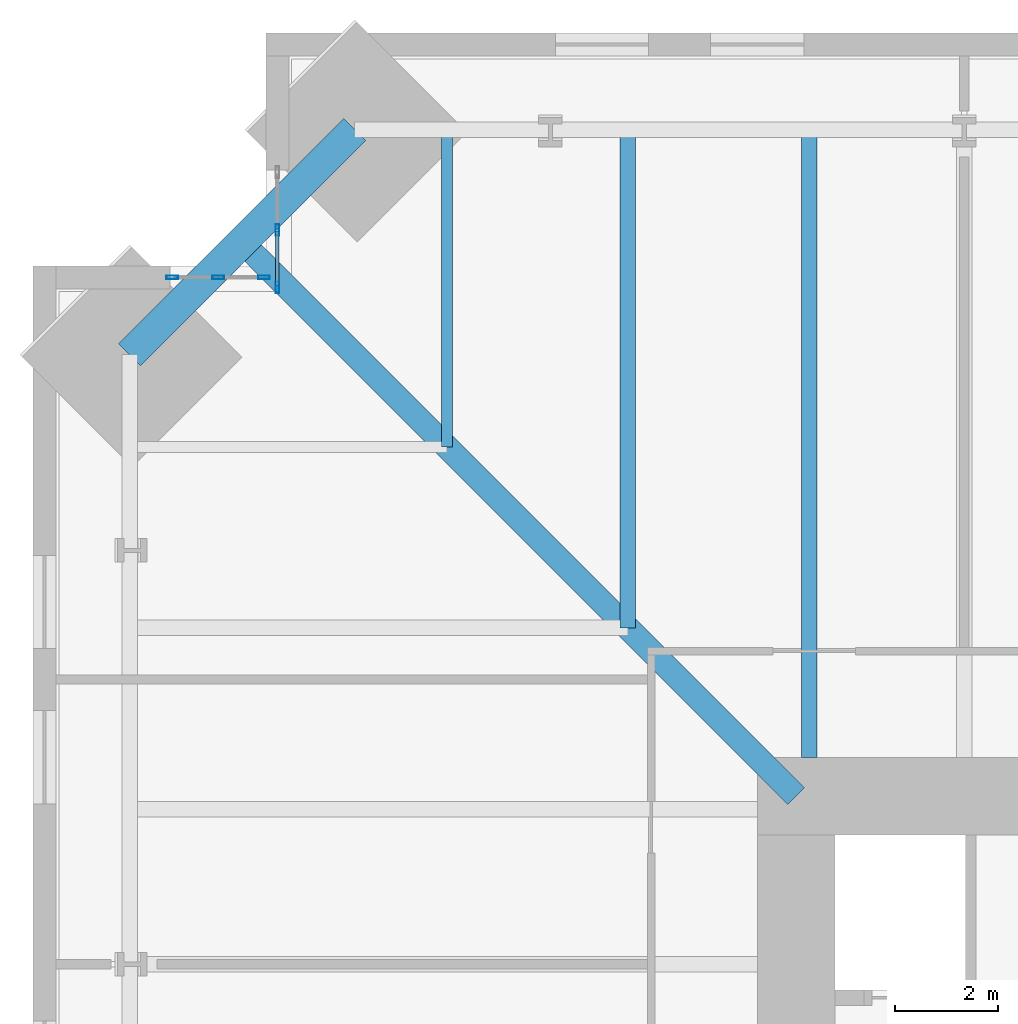
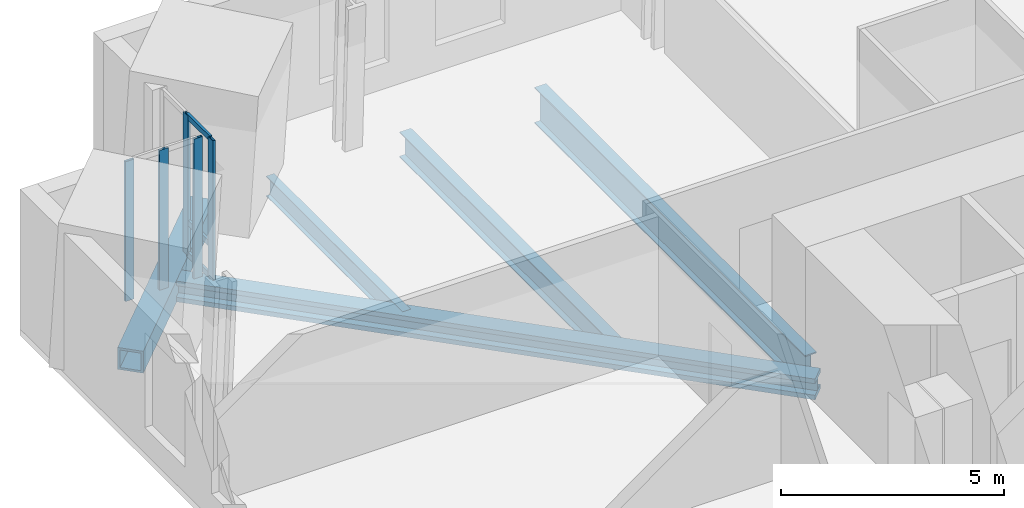
# One storey, part 6 of 18: 8 members, 5 beams, 2 elements without a shape of their own.
"""IFC4 building model written with IfcOpenShell, lengths in metres."""

from ifc_helpers import new_model, si_unit, direction, frame, origin, origin_2d, place, context, subcontext, project, spatial, hollow_rectangle, i_section, extrude, material, material_profile, profile_set, type_object, element, aggregate, save


model = new_model("IFC4")

# Units and contexts
model_context = context("Model", 3, precision=1e-05, world=origin(), true_north=direction((0.0, 1.0)))
body_context = subcontext(model_context, "Body", "Model", "MODEL_VIEW")
ifc_project = project(units=[si_unit("LENGTHUNIT", "METRE"), si_unit("AREAUNIT", "SQUARE_METRE"), si_unit("VOLUMEUNIT", "CUBIC_METRE"), si_unit("PLANEANGLEUNIT", "RADIAN"), si_unit("MASSUNIT", "GRAM", prefix="KILO")], contexts=[model_context])

# Site, building, storey
site_placement = place(None, origin())
site = spatial("IfcSite", under=ifc_project, at=site_placement, CompositionType="ELEMENT")
building_placement = place(site_placement, origin())
building = spatial("IfcBuilding", under=site, at=building_placement, Name="Peilmerk Tower", CompositionType="ELEMENT")
storey_placement = place(building_placement, frame((0.0, 0.0, 167.800048828125)))
storey = spatial("IfcBuildingStorey", under=building, at=storey_placement, Name="L35", CompositionType="ELEMENT", Elevation=167.800048828125)

# Beams
ifc_material_1 = material(Name="Steel S355", Category="steel")
ifc_material_profile_1 = material_profile(ifc_material_1, i_section(OverallWidth=0.2099609375, OverallDepth=0.550048828125, WebThickness=0.010986328125, FlangeThickness=0.01708984375, at=origin_2d()), Name="IPE 550")
ifc_profile_set_1 = profile_set([ifc_material_profile_1], Name="Steel S355")
beam_type_1 = type_object("IfcBeamType", Name="B12 IPE 550 floor beam", PredefinedType="BEAM", material=ifc_profile_set_1)
beam_1_placement = place(storey_placement, frame((-18.0, 18.0, -0.445068359375), z_axis=(0.0, 1.0, 0.0), x_axis=(-1.0, 0.0, 0.0)))
element("IfcBeam", 1, at=beam_1_placement, inside=storey, type_object=beam_type_1, Name="Floor beam L35", PredefinedType="BEAM", context=body_context, shape_type="SweptSolid", body=[
    extrude(i_section(OverallWidth=0.2099609375, OverallDepth=0.550048828125, WebThickness=0.010986328125, FlangeThickness=0.01708984375, at=origin_2d()), origin(), (0.0, 0.0, 1.0), 6.130615234375),
])
ifc_material_profile_2 = material_profile(ifc_material_1, i_section(OverallWidth=0.300048828125, OverallDepth=0.989990234375, WebThickness=0.0166015625, FlangeThickness=0.031005859375, at=origin_2d()), Name="HEA 1000")
ifc_profile_set_2 = profile_set([ifc_material_profile_2], Name="Steel S355")
beam_type_2 = type_object("IfcBeamType", Name="B14 HEA 1000 floor girder", PredefinedType="BEAM", material=ifc_profile_set_2)
beam_2_placement = place(storey_placement, frame((-11.0, 12.0, -0.6650390625), z_axis=(0.0, 1.0, 0.0), x_axis=(-1.0, 0.0, 0.0)))
element("IfcBeam", 2, at=beam_2_placement, inside=storey, type_object=beam_type_2, Name="Floor beam L35", PredefinedType="BEAM", context=body_context, shape_type="SweptSolid", body=[
    extrude(i_section(OverallWidth=0.300048828125, OverallDepth=0.989990234375, WebThickness=0.0166015625, FlangeThickness=0.031005859375, at=origin_2d()), origin(), (0.0, 0.0, 1.0), 12.130615234375),
])
ifc_material_profile_3 = material_profile(ifc_material_1, i_section(OverallWidth=0.300048828125, OverallDepth=0.68994140625, WebThickness=0.014404296875, FlangeThickness=0.027099609375, at=origin_2d()), Name="HEA 700")
ifc_profile_set_3 = profile_set([ifc_material_profile_3], Name="Steel S355")
beam_type_3 = type_object("IfcBeamType", Name="B16 HEA 700 floor beam", PredefinedType="BEAM", material=ifc_profile_set_3)
beam_3_placement = place(storey_placement, frame((-14.5, 14.5, -0.51513671875), z_axis=(0.0, 1.0, 0.0), x_axis=(-1.0, 0.0, 0.0)))
element("IfcBeam", 3, at=beam_3_placement, inside=storey, type_object=beam_type_3, Name="Floor beam L35", PredefinedType="BEAM", context=body_context, shape_type="SweptSolid", body=[
    extrude(i_section(OverallWidth=0.300048828125, OverallDepth=0.68994140625, WebThickness=0.014404296875, FlangeThickness=0.027099609375, at=origin_2d()), origin(), (0.0, 0.0, 1.0), 9.630615234375),
])
ifc_material_2 = material(Name="Steel S460", Category="steel")
ifc_material_profile_4 = material_profile(ifc_material_2, hollow_rectangle(XDim=0.60009765625, YDim=0.60009765625, WallThickness=0.06005859375, at=origin_2d()), Name="BOX 600x600x60")
ifc_profile_set_4 = profile_set([ifc_material_profile_4], Name="Steel S460")
beam_type_4 = type_object("IfcBeamType", Name="B20 BOX 600x600x60 notch beam", PredefinedType="SPANDREL", material=ifc_profile_set_4)
beam_4_placement = place(storey_placement, frame((-24.130615234375, 19.78076171875, -0.469970703125), z_axis=(0.707106781187, 0.707106781187, 0.0), x_axis=(-0.707106781187, 0.707106781187, 0.0)))
element("IfcBeam", 4, at=beam_4_placement, inside=storey, type_object=beam_type_4, Name="Notch beam L35", PredefinedType="SPANDREL", context=body_context, shape_type="SweptSolid", body=[
    extrude(hollow_rectangle(XDim=0.60009765625, YDim=0.60009765625, WallThickness=0.06005859375, at=origin_2d()), origin(), (0.0, 0.0, 1.0), 6.151611328125),
])
ifc_material_profile_5 = material_profile(ifc_material_2, i_section(OverallWidth=0.4541015625, OverallDepth=0.569091796875, WebThickness=0.077880859375, FlangeThickness=0.125, at=origin_2d()), Name="HD 400x1086")
ifc_profile_set_5 = profile_set([ifc_material_profile_5], Name="Steel S460")
beam_type_5 = type_object("IfcBeamType", Name="B9 HD 400x1086 corner girder", PredefinedType="BEAM", material=ifc_profile_set_5)
beam_5_placement = place(storey_placement, frame((-11.25, 11.25, -0.45458984375), z_axis=(-0.707106781187, 0.707106781187, 0.0), x_axis=(-0.707106781187, -0.707106781187, 0.0)))
element("IfcBeam", 5, at=beam_5_placement, inside=storey, type_object=beam_type_5, Name="Corner girder L35", PredefinedType="BEAM", context=body_context, shape_type="SweptSolid", body=[
    extrude(i_section(OverallWidth=0.4541015625, OverallDepth=0.569091796875, WebThickness=0.077880859375, FlangeThickness=0.125, at=origin_2d()), origin(), (0.0, 0.0, 1.0), 15.139892578125),
])

# Curtain wall, members
ifc_material_3 = material(Name="Aluminium stick curtain wall", Category="aluminium")
curtain_wall_type = type_object("IfcCurtainWallType", Name="CW3 stick curtain wall, 2250 module", PredefinedType="NOTDEFINED", material=ifc_material_3)
curtain_wall_1_placement = place(storey_placement, origin())
curtain_wall_1 = element("IfcCurtainWall", 6, at=curtain_wall_1_placement, inside=storey, type_object=curtain_wall_type, Name="Curtain wall CW3 NWA L35", PredefinedType="NOTDEFINED")
ifc_material_4 = material(Name="Aluminium EN AW-6063 T6", Category="aluminium")
ifc_material_profile_6 = material_profile(ifc_material_4, hollow_rectangle(XDim=0.06494140625, YDim=0.22509765625, WallThickness=0.00390625, at=origin_2d()), Name="AL 225x65x4")
ifc_profile_set_6 = profile_set([ifc_material_profile_6], Name="Aluminium EN AW-6063 T6")
member_type_1 = type_object("IfcMemberType", Name="CW3-M AL 225x65x4 mullion", PredefinedType="MULLION", material=ifc_profile_set_6)
member_1_placement = place(storey_placement, frame((-21.27490234375, 21.08251953125, 0.0), z_axis=(0.0, 0.0, 1.0), x_axis=(-1.0, 0.0, 0.0)))
member_1 = element("IfcMember", 7, at=member_1_placement, type_object=member_type_1, Name="CW3 mullion 1", PredefinedType="MULLION", context=body_context, shape_type="SweptSolid", body=[
    extrude(hollow_rectangle(XDim=0.06494140625, YDim=0.22509765625, WallThickness=0.00390625, at=origin_2d()), origin(), (0.0, 0.0, 1.0), 3.829833984375),
])
member_2_placement = place(storey_placement, frame((-21.27490234375, 22.1943359375, 0.0), z_axis=(0.0, 0.0, 1.0), x_axis=(-1.0, 0.0, 0.0)))
member_2 = element("IfcMember", 8, at=member_2_placement, type_object=member_type_1, Name="CW3 mullion 2", PredefinedType="MULLION", context=body_context, shape_type="SweptSolid", body=[
    extrude(hollow_rectangle(XDim=0.06494140625, YDim=0.22509765625, WallThickness=0.00390625, at=origin_2d()), origin(), (0.0, 0.0, 1.0), 3.829833984375),
])

curtain_wall_2_placement = place(storey_placement, origin())
curtain_wall_2 = element("IfcCurtainWall", 9, at=curtain_wall_2_placement, inside=storey, type_object=curtain_wall_type, Name="Curtain wall CW3 NWB L35", PredefinedType="NOTDEFINED")
member_3_placement = place(storey_placement, frame((-21.532470703125, 21.27490234375, 0.0), z_axis=(0.0, 0.0, 1.0), x_axis=(0.0, -1.0, 0.0)))
member_3 = element("IfcMember", 10, at=member_3_placement, type_object=member_type_1, Name="CW3 mullion 1", PredefinedType="MULLION", context=body_context, shape_type="SweptSolid", body=[
    extrude(hollow_rectangle(XDim=0.06494140625, YDim=0.22509765625, WallThickness=0.00390625, at=origin_2d()), origin(), (0.0, 0.0, 1.0), 3.829833984375),
])
member_4_placement = place(storey_placement, frame((-22.41943359375, 21.27490234375, 0.0), z_axis=(0.0, 0.0, 1.0), x_axis=(0.0, -1.0, 0.0)))
member_4 = element("IfcMember", 11, at=member_4_placement, type_object=member_type_1, Name="CW3 mullion 2", PredefinedType="MULLION", context=body_context, shape_type="SweptSolid", body=[
    extrude(hollow_rectangle(XDim=0.06494140625, YDim=0.22509765625, WallThickness=0.00390625, at=origin_2d()), origin(), (0.0, 0.0, 1.0), 3.829833984375),
])
member_5_placement = place(storey_placement, frame((-23.30615234375, 21.27490234375, 0.0), z_axis=(0.0, 0.0, 1.0), x_axis=(0.0, -1.0, 0.0)))
member_5 = element("IfcMember", 12, at=member_5_placement, type_object=member_type_1, Name="CW3 mullion 3", PredefinedType="MULLION", context=body_context, shape_type="SweptSolid", body=[
    extrude(hollow_rectangle(XDim=0.06494140625, YDim=0.22509765625, WallThickness=0.00390625, at=origin_2d()), origin(), (0.0, 0.0, 1.0), 3.829833984375),
])
aggregate(curtain_wall_2, [member_3, member_4, member_5])

# Member
ifc_material_profile_7 = material_profile(ifc_material_4, hollow_rectangle(XDim=0.06494140625, YDim=0.14990234375, WallThickness=0.0029296875, at=origin_2d()), Name="AL 150x65x3")
ifc_profile_set_7 = profile_set([ifc_material_profile_7], Name="Aluminium EN AW-6063 T6")
member_type_2 = type_object("IfcMemberType", Name="CW3-T AL 150x65x3 transom", PredefinedType="USERDEFINED", material=ifc_profile_set_7)
member_6_placement = place(storey_placement, frame((-21.27490234375, 21.114990234375, 0.032470703125), z_axis=(0.0, 1.0, 0.0), x_axis=(-1.0, 0.0, 0.0)))
member_6 = element("IfcMember", 13, at=member_6_placement, type_object=member_type_2, Name="CW3 transom 1.1", ObjectType="TRANSOM", PredefinedType="USERDEFINED", context=body_context, shape_type="SweptSolid", body=[
    extrude(hollow_rectangle(XDim=0.06494140625, YDim=0.14990234375, WallThickness=0.0029296875, at=origin_2d()), origin(), (0.0, 0.0, 1.0), 1.046875),
])

member_7_placement = place(storey_placement, frame((-21.27490234375, 21.114990234375, 0.89990234375), z_axis=(0.0, 1.0, 0.0), x_axis=(-1.0, 0.0, 0.0)))
member_7 = element("IfcMember", 14, at=member_7_placement, type_object=member_type_2, Name="CW3 transom 1.2", ObjectType="TRANSOM", PredefinedType="USERDEFINED", context=body_context, shape_type="SweptSolid", body=[
    extrude(hollow_rectangle(XDim=0.06494140625, YDim=0.14990234375, WallThickness=0.0029296875, at=origin_2d()), origin(), (0.0, 0.0, 1.0), 1.046875),
])

member_8_placement = place(storey_placement, frame((-21.27490234375, 21.114990234375, 3.79736328125), z_axis=(0.0, 1.0, 0.0), x_axis=(-1.0, 0.0, 0.0)))
member_8 = element("IfcMember", 15, at=member_8_placement, type_object=member_type_2, Name="CW3 transom 1.3", ObjectType="TRANSOM", PredefinedType="USERDEFINED", context=body_context, shape_type="SweptSolid", body=[
    extrude(hollow_rectangle(XDim=0.06494140625, YDim=0.14990234375, WallThickness=0.0029296875, at=origin_2d()), origin(), (0.0, 0.0, 1.0), 1.046875),
])

aggregate(curtain_wall_1, [member_1, member_2, member_6, member_7, member_8])

save(model, "model.ifc")
